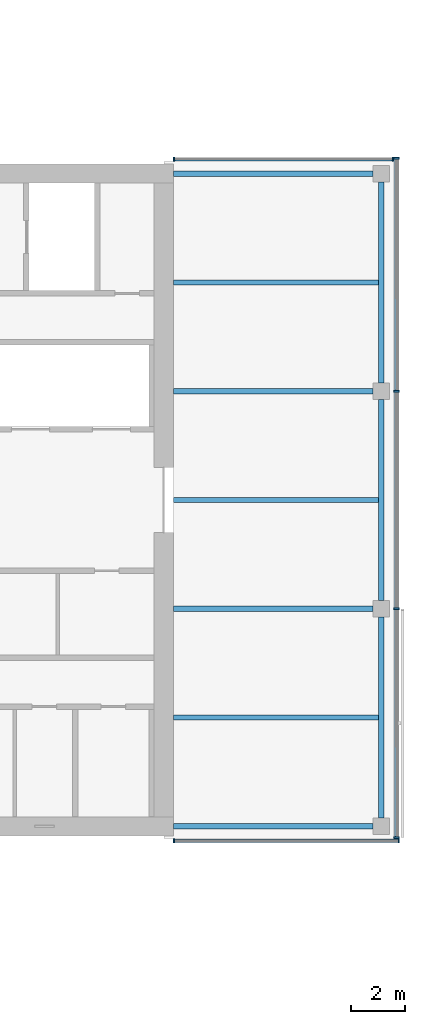
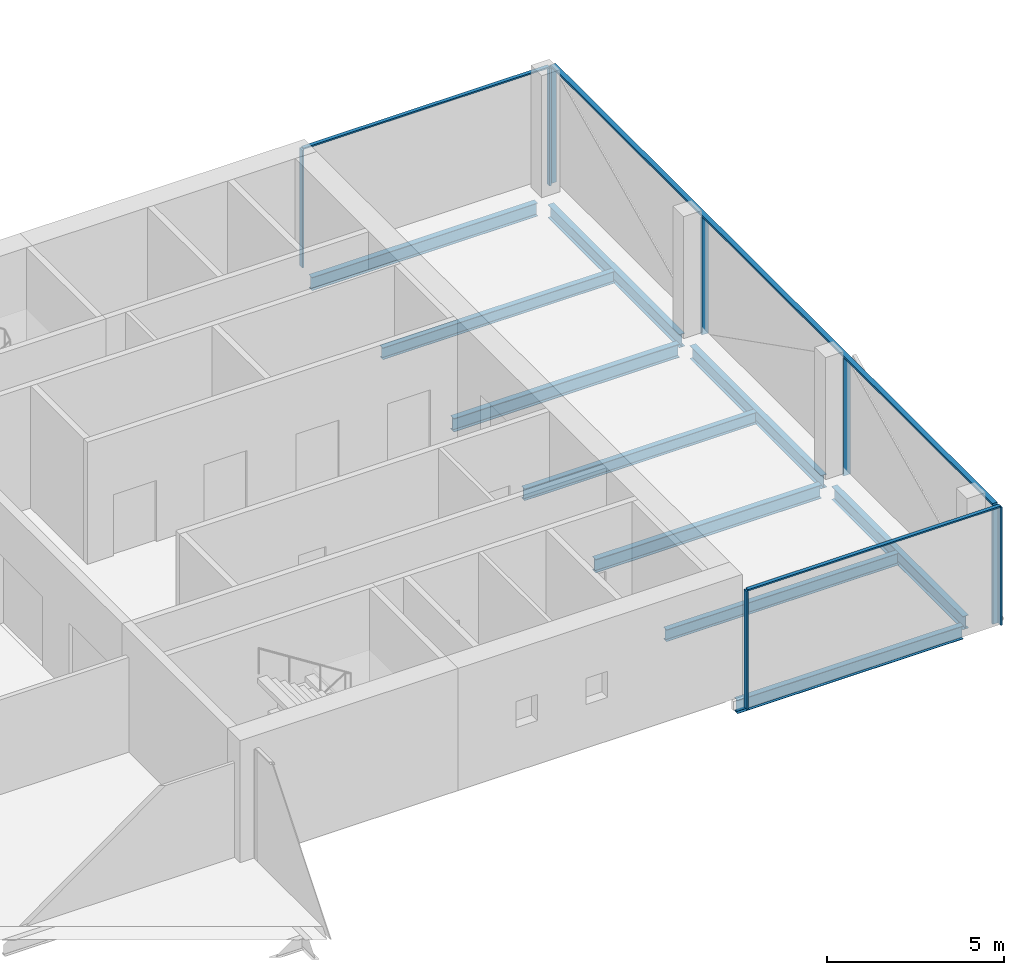
# One storey, part 11 of 22: 11 members, 10 beams, 3 elements without a shape of their own.
"""IFC4 building model written with IfcOpenShell, lengths in metres."""

from ifc_helpers import new_model, si_unit, direction, frame, origin, origin_2d, place, context, subcontext, project, spatial, rectangle, i_section, extrude, material, material_profile, profile_set, type_object, element, aggregate, save


model = new_model("IFC4")

# Units and contexts
model_context = context("Model", 3, precision=1e-05, world=origin(), true_north=direction((0.0, 1.0)))
body_context = subcontext(model_context, "Body", "Model", "MODEL_VIEW")
ifc_project = project(units=[si_unit("LENGTHUNIT", "METRE"), si_unit("AREAUNIT", "SQUARE_METRE"), si_unit("VOLUMEUNIT", "CUBIC_METRE"), si_unit("PLANEANGLEUNIT", "RADIAN"), si_unit("MASSUNIT", "GRAM", prefix="KILO")], contexts=[model_context])

# Site, building, storey
site_placement = place(None, origin())
site = spatial("IfcSite", under=ifc_project, at=site_placement, CompositionType="ELEMENT")
building_placement = place(site_placement, origin())
building = spatial("IfcBuilding", under=site, at=building_placement, Name="Crosswind Convention Tower", CompositionType="ELEMENT")
storey_placement = place(building_placement, frame((0.0, 0.0, 167.300048828125)))
storey = spatial("IfcBuildingStorey", under=building, at=storey_placement, Name="L35", CompositionType="ELEMENT", Elevation=167.300048828125)

# Beams
ifc_material_1 = material(Name="Steel S355", Category="steel")
ifc_material_profile_1 = material_profile(ifc_material_1, i_section(OverallWidth=0.18994140625, OverallDepth=0.45361328125, WebThickness=0.008544921875, FlangeThickness=0.0126953125, FilletRadius=0.01025390625, at=origin_2d()), Name="UB 457x191x67")
ifc_profile_set_1 = profile_set([ifc_material_profile_1], Name="Steel S355")
beam_type_1 = type_object("IfcBeamType", Name="Edge beam UB 457x191x67", PredefinedType="SPANDREL", material=ifc_profile_set_1)
for number, where, z_axis, x_axis, name in (
    (1, (153.35009765625, 88.0, -0.52685546875), (1.0, 0.0, 0.0), (0.0, 1.0, 0.0), "B16 L35 edge beam 20"),
    (2, (153.35009765625, 112.0, -0.52685546875), (1.0, 0.0, 0.0), (0.0, 1.0, 0.0), "B16 L35 edge beam 21"),
):
    element("IfcBeam", number, at=place(storey_placement, frame(where, z_axis=z_axis, x_axis=x_axis)), inside=storey, type_object=beam_type_1, Name=name, PredefinedType="SPANDREL", context=body_context, shape_type="SweptSolid", body=[
        extrude(i_section(OverallWidth=0.18994140625, OverallDepth=0.45361328125, WebThickness=0.008544921875, FlangeThickness=0.0126953125, FilletRadius=0.01025390625, at=origin_2d()), origin(), (0.0, 0.0, 1.0), 7.349853515625),
    ])
for number, where, z_axis, x_axis, name in (
    (3, (161.0, 88.300048828125, -0.52685546875), (0.0, 1.0, 0.0), (-1.0, 0.0, 0.0), "B16 L35 edge beam 22"),
    (4, (161.0, 96.300048828125, -0.52685546875), (0.0, 1.0, 0.0), (-1.0, 0.0, 0.0), "B16 L35 edge beam 23"),
    (5, (161.0, 104.300048828125, -0.52685546875), (0.0, 1.0, 0.0), (-1.0, 0.0, 0.0), "B16 L35 edge beam 24"),
):
    element("IfcBeam", number, at=place(storey_placement, frame(where, z_axis=z_axis, x_axis=x_axis)), inside=storey, type_object=beam_type_1, Name=name, PredefinedType="SPANDREL", context=body_context, shape_type="SweptSolid", body=[
        extrude(i_section(OverallWidth=0.18994140625, OverallDepth=0.45361328125, WebThickness=0.008544921875, FlangeThickness=0.0126953125, FilletRadius=0.01025390625, at=origin_2d()), origin(), (0.0, 0.0, 1.0), 7.39990234375),
    ])
ifc_material_profile_2 = material_profile(ifc_material_1, i_section(OverallWidth=0.19189453125, OverallDepth=0.463623046875, WebThickness=0.010498046875, FlangeThickness=0.017578125, FilletRadius=0.01025390625, at=origin_2d()), Name="UB 457x191x90")
ifc_profile_set_2 = profile_set([ifc_material_profile_2], Name="Steel S355")
beam_type_2 = type_object("IfcBeamType", Name="Girder at core wall UB 457x191x90", PredefinedType="BEAM", material=ifc_profile_set_2)
for number, where, z_axis, x_axis, name in (
    (6, (153.35009765625, 96.0, -0.53173828125), (1.0, 0.0, 0.0), (0.0, 1.0, 0.0), "B24 L35 girder at core wall 11"),
    (7, (153.35009765625, 104.0, -0.53173828125), (1.0, 0.0, 0.0), (0.0, 1.0, 0.0), "B24 L35 girder at core wall 12"),
):
    element("IfcBeam", number, at=place(storey_placement, frame(where, z_axis=z_axis, x_axis=x_axis)), inside=storey, type_object=beam_type_2, Name=name, PredefinedType="BEAM", context=body_context, shape_type="SweptSolid", body=[
        extrude(i_section(OverallWidth=0.19189453125, OverallDepth=0.463623046875, WebThickness=0.010498046875, FlangeThickness=0.017578125, FilletRadius=0.01025390625, at=origin_2d()), origin(), (0.0, 0.0, 1.0), 7.349853515625),
    ])

# Curtain wall, members
ifc_material_2 = material(Name="Aluminium unitised curtain wall", Category="aluminium")
curtain_wall_type_1 = type_object("IfcCurtainWallType", Name="CORE END SLOT WALL 160", PredefinedType="USERDEFINED", material=ifc_material_2)
curtain_wall_1_placement = place(storey_placement, origin())
curtain_wall_1 = element("IfcCurtainWall", 8, at=curtain_wall_1_placement, inside=storey, type_object=curtain_wall_type_1, Name="CW6 L35 E-N.1-1 slot", ObjectType="UNITISED", PredefinedType="USERDEFINED")
ifc_material_3 = material(Name="Aluminium mullion", Category="aluminium")
ifc_material_profile_3 = material_profile(ifc_material_3, rectangle(XDim=0.159912109375, YDim=0.050048828125, at=origin_2d()), Name="AL 160X50")
ifc_profile_set_3 = profile_set([ifc_material_profile_3], Name="Aluminium mullion")
member_type_1 = type_object("IfcMemberType", Name="MULLION 50X160", PredefinedType="MULLION", material=ifc_profile_set_3)
member_1_placement = place(storey_placement, frame((161.425048828125, 112.530029296875, -0.300048828125), z_axis=(0.0, 0.0, 1.0), x_axis=(0.0, 1.0, 0.0)))
member_1 = element("IfcMember", 9, at=member_1_placement, type_object=member_type_1, Name="CW6 mullion 1", PredefinedType="MULLION", context=body_context, shape_type="SweptSolid", body=[
    extrude(rectangle(XDim=0.159912109375, YDim=0.050048828125, at=origin_2d()), origin(), (0.0, 0.0, 1.0), 4.050048828125),
])
member_2_placement = place(storey_placement, frame((153.375, 112.530029296875, -0.300048828125), z_axis=(0.0, 0.0, 1.0), x_axis=(0.0, 1.0, 0.0)))
member_2 = element("IfcMember", 10, at=member_2_placement, type_object=member_type_1, Name="CW6 mullion 2", PredefinedType="MULLION", context=body_context, shape_type="SweptSolid", body=[
    extrude(rectangle(XDim=0.159912109375, YDim=0.050048828125, at=origin_2d()), origin(), (0.0, 0.0, 1.0), 4.050048828125),
])

curtain_wall_2_placement = place(storey_placement, origin())
curtain_wall_2 = element("IfcCurtainWall", 11, at=curtain_wall_2_placement, inside=storey, type_object=curtain_wall_type_1, Name="CW6 L35 E-S.2-1 slot", ObjectType="UNITISED", PredefinedType="USERDEFINED")
member_3_placement = place(storey_placement, frame((153.375, 87.469970703125, -0.300048828125), z_axis=(0.0, 0.0, 1.0), x_axis=(0.0, -1.0, 0.0)))
member_3 = element("IfcMember", 12, at=member_3_placement, type_object=member_type_1, Name="CW6 mullion 1", PredefinedType="MULLION", context=body_context, shape_type="SweptSolid", body=[
    extrude(rectangle(XDim=0.159912109375, YDim=0.050048828125, at=origin_2d()), origin(), (0.0, 0.0, 1.0), 4.050048828125),
])
member_4_placement = place(storey_placement, frame((161.64501953125, 87.469970703125, -0.300048828125), z_axis=(0.0, 0.0, 1.0), x_axis=(0.0, -1.0, 0.0)))
member_4 = element("IfcMember", 13, at=member_4_placement, type_object=member_type_1, Name="CW6 mullion 2", PredefinedType="MULLION", context=body_context, shape_type="SweptSolid", body=[
    extrude(rectangle(XDim=0.159912109375, YDim=0.050048828125, at=origin_2d()), origin(), (0.0, 0.0, 1.0), 4.050048828125),
])

curtain_wall_type_2 = type_object("IfcCurtainWallType", Name="OFFICE UNITISED WALL 220", PredefinedType="USERDEFINED", material=ifc_material_2)
curtain_wall_3_placement = place(storey_placement, origin())
curtain_wall_3 = element("IfcCurtainWall", 14, at=curtain_wall_3_placement, inside=storey, type_object=curtain_wall_type_2, Name="CW3 L35 E-TIP 1", ObjectType="UNITISED", PredefinedType="USERDEFINED")
ifc_material_profile_4 = material_profile(ifc_material_3, rectangle(XDim=0.219970703125, YDim=0.070068359375, at=origin_2d()), Name="AL 220X70")
ifc_profile_set_4 = profile_set([ifc_material_profile_4], Name="Aluminium mullion")
member_type_2 = type_object("IfcMemberType", Name="MULLION 70X220", PredefinedType="MULLION", material=ifc_profile_set_4)
member_5_placement = place(storey_placement, frame((161.56005859375, 87.5849609375, -0.300048828125), z_axis=(0.0, 0.0, 1.0), x_axis=(1.0, 0.0, 0.0)))
member_5 = element("IfcMember", 15, at=member_5_placement, type_object=member_type_2, Name="CW3 mullion 1", PredefinedType="MULLION", context=body_context, shape_type="SweptSolid", body=[
    extrude(rectangle(XDim=0.219970703125, YDim=0.070068359375, at=origin_2d()), origin(), (0.0, 0.0, 1.0), 4.030029296875),
])
member_6_placement = place(storey_placement, frame((161.56005859375, 96.0, -0.300048828125), z_axis=(0.0, 0.0, 1.0), x_axis=(1.0, 0.0, 0.0)))
member_6 = element("IfcMember", 16, at=member_6_placement, type_object=member_type_2, Name="CW3 mullion 2", PredefinedType="MULLION", context=body_context, shape_type="SweptSolid", body=[
    extrude(rectangle(XDim=0.219970703125, YDim=0.070068359375, at=origin_2d()), origin(), (0.0, 0.0, 1.0), 4.030029296875),
])
member_7_placement = place(storey_placement, frame((161.56005859375, 104.0, -0.300048828125), z_axis=(0.0, 0.0, 1.0), x_axis=(1.0, 0.0, 0.0)))
member_7 = element("IfcMember", 17, at=member_7_placement, type_object=member_type_2, Name="CW3 mullion 3", PredefinedType="MULLION", context=body_context, shape_type="SweptSolid", body=[
    extrude(rectangle(XDim=0.219970703125, YDim=0.070068359375, at=origin_2d()), origin(), (0.0, 0.0, 1.0), 4.030029296875),
])
member_8_placement = place(storey_placement, frame((161.56005859375, 112.574951171875, -0.300048828125), z_axis=(0.0, 0.0, 1.0), x_axis=(1.0, 0.0, 0.0)))
member_8 = element("IfcMember", 18, at=member_8_placement, type_object=member_type_2, Name="CW3 mullion 4", PredefinedType="MULLION", context=body_context, shape_type="SweptSolid", body=[
    extrude(rectangle(XDim=0.219970703125, YDim=0.070068359375, at=origin_2d()), origin(), (0.0, 0.0, 1.0), 4.030029296875),
])

# Beams
ifc_material_profile_5 = material_profile(ifc_material_1, i_section(OverallWidth=0.177734375, OverallDepth=0.406494140625, WebThickness=0.0078125, FlangeThickness=0.0126953125, FilletRadius=0.01025390625, at=origin_2d()), Name="UB 406x178x60")
ifc_profile_set_5 = profile_set([ifc_material_profile_5], Name="Steel S355")
beam_type_3 = type_object("IfcBeamType", Name="Secondary beam UB 406x178x60", PredefinedType="JOIST", material=ifc_profile_set_5)
for number, where, z_axis, x_axis, name in (
    (19, (153.35009765625, 92.0, -0.503173828125), (1.0, 0.0, 0.0), (0.0, 1.0, 0.0), "B10 L35 secondary beam 25"),
    (20, (153.35009765625, 100.0, -0.503173828125), (1.0, 0.0, 0.0), (0.0, 1.0, 0.0), "B10 L35 secondary beam 26"),
    (21, (153.35009765625, 108.0, -0.503173828125), (1.0, 0.0, 0.0), (0.0, 1.0, 0.0), "B10 L35 secondary beam 27"),
):
    element("IfcBeam", number, at=place(storey_placement, frame(where, z_axis=z_axis, x_axis=x_axis)), inside=storey, type_object=beam_type_3, Name=name, PredefinedType="JOIST", context=body_context, shape_type="SweptSolid", body=[
        extrude(i_section(OverallWidth=0.177734375, OverallDepth=0.406494140625, WebThickness=0.0078125, FlangeThickness=0.0126953125, FilletRadius=0.01025390625, at=origin_2d()), origin(), (0.0, 0.0, 1.0), 7.554931640625),
    ])

# Member
ifc_material_4 = material(Name="Aluminium transom", Category="aluminium")
ifc_material_profile_6 = material_profile(ifc_material_4, rectangle(XDim=0.1201171875, YDim=0.050048828125, at=origin_2d()), Name="AL 120X50")
ifc_profile_set_6 = profile_set([ifc_material_profile_6], Name="Aluminium transom")
member_type_3 = type_object("IfcMemberType", Name="TRANSOM 50X120", PredefinedType="USERDEFINED", material=ifc_profile_set_6)
member_9_placement = place(storey_placement, frame((161.39990234375, 112.530029296875, 3.77490234375), z_axis=(-1.0, 0.0, 0.0), x_axis=(0.0, -1.0, 0.0)))
member_9 = element("IfcMember", 22, at=member_9_placement, type_object=member_type_3, Name="CW6 transom", ObjectType="TRANSOM", PredefinedType="USERDEFINED", context=body_context, shape_type="SweptSolid", body=[
    extrude(rectangle(XDim=0.1201171875, YDim=0.050048828125, at=origin_2d()), origin(), (0.0, 0.0, 1.0), 8.0),
])

aggregate(curtain_wall_1, [member_1, member_2, member_9])

member_10_placement = place(storey_placement, frame((153.39990234375, 87.469970703125, 3.77490234375), z_axis=(1.0, 0.0, 0.0), x_axis=(0.0, 1.0, 0.0)))
member_10 = element("IfcMember", 23, at=member_10_placement, type_object=member_type_3, Name="CW6 transom", ObjectType="TRANSOM", PredefinedType="USERDEFINED", context=body_context, shape_type="SweptSolid", body=[
    extrude(rectangle(XDim=0.1201171875, YDim=0.050048828125, at=origin_2d()), origin(), (0.0, 0.0, 1.0), 8.22021484375),
])

aggregate(curtain_wall_2, [member_3, member_4, member_10])

ifc_material_profile_7 = material_profile(ifc_material_4, rectangle(XDim=0.159912109375, YDim=0.070068359375, at=origin_2d()), Name="AL 160X70")
ifc_profile_set_7 = profile_set([ifc_material_profile_7], Name="Aluminium transom")
member_type_4 = type_object("IfcMemberType", Name="TRANSOM 70X160", PredefinedType="USERDEFINED", material=ifc_profile_set_7)
member_11_placement = place(storey_placement, frame((161.56005859375, 87.6201171875, 3.764892578125), z_axis=(0.0, 1.0, 0.0), x_axis=(-1.0, 0.0, 0.0)))
member_11 = element("IfcMember", 24, at=member_11_placement, type_object=member_type_4, Name="CW3 transom", ObjectType="TRANSOM", PredefinedType="USERDEFINED", context=body_context, shape_type="SweptSolid", body=[
    extrude(rectangle(XDim=0.159912109375, YDim=0.070068359375, at=origin_2d()), origin(), (0.0, 0.0, 1.0), 24.919921875),
])

aggregate(curtain_wall_3, [member_5, member_6, member_7, member_8, member_11])

save(model, "model.ifc")
